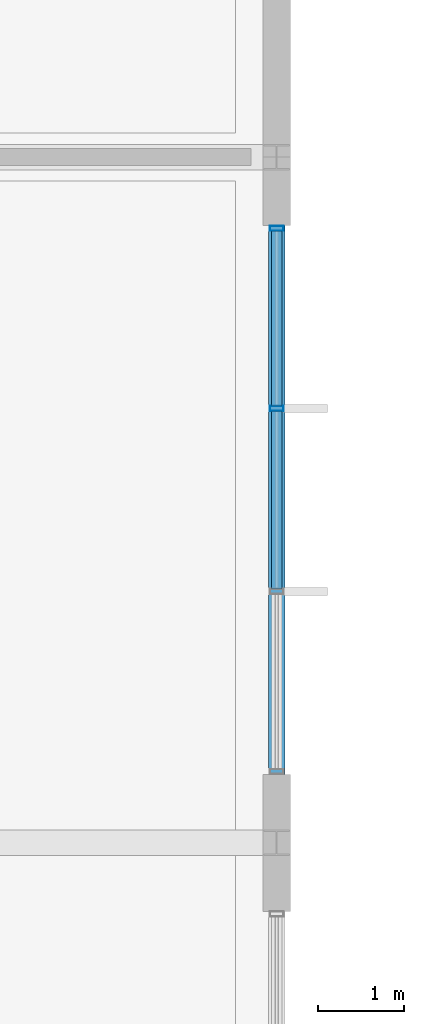
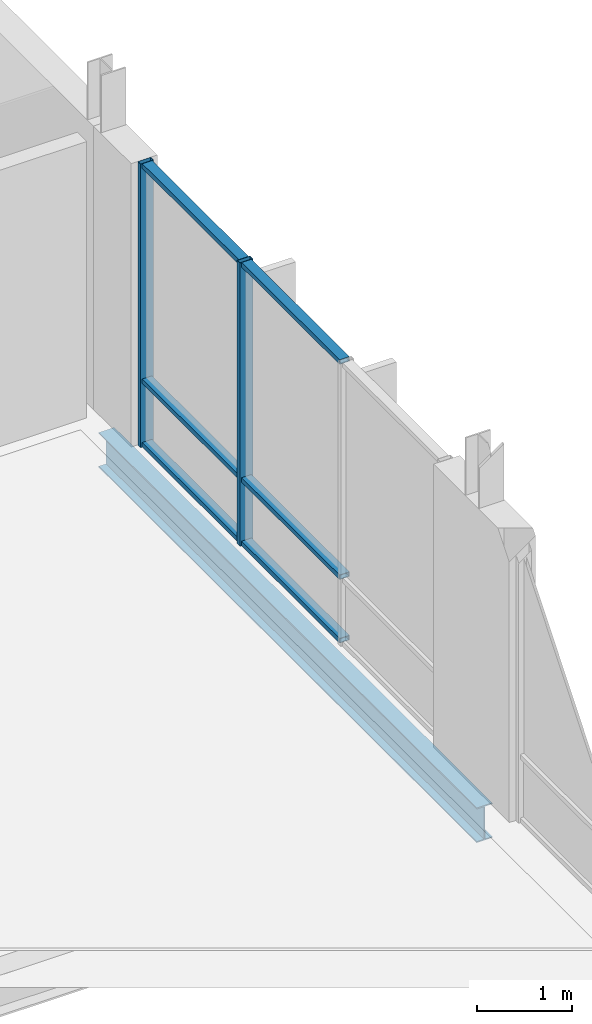
# One storey, part 158 of 233: 8 members, 1 beam, 1 element without a shape of its own.
"""IFC4 building model written with IfcOpenShell, lengths in metres."""

from ifc_helpers import new_model, si_unit, direction, frame, origin, origin_2d, place, context, subcontext, project, spatial, hollow_rectangle, i_section, extrude, material, material_profile, profile_set, type_object, element, aggregate, save


model = new_model("IFC4")

# Units and contexts
model_context = context("Model", 3, precision=1e-05, world=origin(), true_north=direction((0.0, 1.0)))
body_context = subcontext(model_context, "Body", "Model", "MODEL_VIEW")
ifc_project = project(units=[si_unit("LENGTHUNIT", "METRE"), si_unit("AREAUNIT", "SQUARE_METRE"), si_unit("VOLUMEUNIT", "CUBIC_METRE"), si_unit("PLANEANGLEUNIT", "RADIAN"), si_unit("MASSUNIT", "GRAM", prefix="KILO")], contexts=[model_context])

# Site, building, storey
site_placement = place(None, origin())
site = spatial("IfcSite", under=ifc_project, at=site_placement, CompositionType="ELEMENT")
building_placement = place(site_placement, origin())
building = spatial("IfcBuilding", under=site, at=building_placement, Name="Zavelmont Quarter", CompositionType="ELEMENT")
storey_placement = place(building_placement, origin())
storey = spatial("IfcBuildingStorey", under=building, at=storey_placement, Name="L00", CompositionType="ELEMENT", Elevation=0.0)

# Beam
ifc_material_1 = material(Name="Steel S355", Category="steel")
ifc_material_profile_1 = material_profile(ifc_material_1, i_section(OverallWidth=0.18994140625, OverallDepth=0.449951171875, WebThickness=0.009521484375, FlangeThickness=0.0146484375, at=origin_2d()), Name="IPE 450")
ifc_profile_set_1 = profile_set([ifc_material_profile_1], Name="Steel S355")
beam_type = type_object("IfcBeamType", Name="BM12", PredefinedType="BEAM", material=ifc_profile_set_1)
beam_placement = place(storey_placement, frame((168.0, 46.0, -0.544921875), z_axis=(0.0, 1.0, 0.0), x_axis=(-1.0, 0.0, 0.0)))
element("IfcBeam", 1, at=beam_placement, inside=storey, type_object=beam_type, Name="L00 beam BM12 25/H to 25/J", PredefinedType="BEAM", context=body_context, shape_type="SweptSolid", body=[
    extrude(i_section(OverallWidth=0.18994140625, OverallDepth=0.449951171875, WebThickness=0.009521484375, FlangeThickness=0.0146484375, at=origin_2d()), origin(), (0.0, 0.0, 1.0), 8.0),
])

# Curtain wall, members
ifc_material_2 = material(Name="Thermally broken aluminium and double low-E safety glazing", Category="aluminium")
curtain_wall_type = type_object("IfcCurtainWallType", Name="CW-640X366", PredefinedType="NOTDEFINED", material=ifc_material_2)
curtain_wall_placement = place(storey_placement, origin())
curtain_wall = element("IfcCurtainWall", 2, at=curtain_wall_placement, inside=storey, type_object=curtain_wall_type, Name="L00 unitised curtain wall CW-640X366", PredefinedType="NOTDEFINED")
ifc_material_3 = material(Name="Powder-coated aluminium EN AW-6063-T6", Category="aluminium")
ifc_material_profile_2 = material_profile(ifc_material_3, hollow_rectangle(XDim=0.06005859375, YDim=0.159912109375, WallThickness=0.00390625, at=origin_2d()), Name="CWM60X160")
ifc_profile_set_2 = profile_set([ifc_material_profile_2], Name="Powder-coated aluminium EN AW-6063-T6")
member_type_1 = type_object("IfcMemberType", Name="CWM01", PredefinedType="MULLION", material=ifc_profile_set_2)
member_1_placement = place(storey_placement, frame((168.0, 51.066650390625, 0.0), z_axis=(0.0, 0.0, 1.0), x_axis=(0.0, 1.0, 0.0)))
member_1 = element("IfcMember", 3, at=member_1_placement, type_object=member_type_1, Name="CW-640X366 mullion 3", PredefinedType="MULLION", context=body_context, shape_type="SweptSolid", body=[
    extrude(hollow_rectangle(XDim=0.06005859375, YDim=0.159912109375, WallThickness=0.00390625, at=origin_2d()), origin(), (0.0, 0.0, 1.0), 3.659912109375),
])
member_2_placement = place(storey_placement, frame((168.0, 53.169921875, 0.0), z_axis=(0.0, 0.0, 1.0), x_axis=(0.0, 1.0, 0.0)))
member_2 = element("IfcMember", 4, at=member_2_placement, type_object=member_type_1, Name="CW-640X366 mullion 4", PredefinedType="MULLION", context=body_context, shape_type="SweptSolid", body=[
    extrude(hollow_rectangle(XDim=0.06005859375, YDim=0.159912109375, WallThickness=0.00390625, at=origin_2d()), origin(), (0.0, 0.0, 1.0), 3.659912109375),
])
ifc_material_profile_3 = material_profile(ifc_material_3, hollow_rectangle(XDim=0.1201171875, YDim=0.06005859375, WallThickness=0.00390625, at=origin_2d()), Name="CWT60X120")
ifc_profile_set_3 = profile_set([ifc_material_profile_3], Name="Powder-coated aluminium EN AW-6063-T6")
member_type_2 = type_object("IfcMemberType", Name="CWT01", PredefinedType="NOTDEFINED", material=ifc_profile_set_3)
member_3_placement = place(storey_placement, frame((168.0, 48.96337890625, 0.030029296875), z_axis=(0.0, 1.0, 0.0), x_axis=(-1.0, 0.0, 0.0)))
member_3 = element("IfcMember", 5, at=member_3_placement, type_object=member_type_2, Name="CW-640X366 transom 2.1", ObjectType="TRANSOM", PredefinedType="USERDEFINED", context=body_context, shape_type="SweptSolid", body=[
    extrude(hollow_rectangle(XDim=0.1201171875, YDim=0.06005859375, WallThickness=0.00390625, at=origin_2d()), origin(), (0.0, 0.0, 1.0), 2.0732421875),
])
member_4_placement = place(storey_placement, frame((168.0, 48.96337890625, 0.85009765625), z_axis=(0.0, 1.0, 0.0), x_axis=(-1.0, 0.0, 0.0)))
member_4 = element("IfcMember", 6, at=member_4_placement, type_object=member_type_2, Name="CW-640X366 transom 2.2", ObjectType="TRANSOM", PredefinedType="USERDEFINED", context=body_context, shape_type="SweptSolid", body=[
    extrude(hollow_rectangle(XDim=0.1201171875, YDim=0.06005859375, WallThickness=0.00390625, at=origin_2d()), origin(), (0.0, 0.0, 1.0), 2.0732421875),
])
member_5_placement = place(storey_placement, frame((168.0, 48.96337890625, 3.6298828125), z_axis=(0.0, 1.0, 0.0), x_axis=(-1.0, 0.0, 0.0)))
member_5 = element("IfcMember", 7, at=member_5_placement, type_object=member_type_2, Name="CW-640X366 transom 2.3", ObjectType="TRANSOM", PredefinedType="USERDEFINED", context=body_context, shape_type="SweptSolid", body=[
    extrude(hollow_rectangle(XDim=0.1201171875, YDim=0.06005859375, WallThickness=0.00390625, at=origin_2d()), origin(), (0.0, 0.0, 1.0), 2.0732421875),
])
member_6_placement = place(storey_placement, frame((168.0, 51.0966796875, 0.030029296875), z_axis=(0.0, 1.0, 0.0), x_axis=(-1.0, 0.0, 0.0)))
member_6 = element("IfcMember", 8, at=member_6_placement, type_object=member_type_2, Name="CW-640X366 transom 3.1", ObjectType="TRANSOM", PredefinedType="USERDEFINED", context=body_context, shape_type="SweptSolid", body=[
    extrude(hollow_rectangle(XDim=0.1201171875, YDim=0.06005859375, WallThickness=0.00390625, at=origin_2d()), origin(), (0.0, 0.0, 1.0), 2.043212890625),
])
member_7_placement = place(storey_placement, frame((168.0, 51.0966796875, 0.85009765625), z_axis=(0.0, 1.0, 0.0), x_axis=(-1.0, 0.0, 0.0)))
member_7 = element("IfcMember", 9, at=member_7_placement, type_object=member_type_2, Name="CW-640X366 transom 3.2", ObjectType="TRANSOM", PredefinedType="USERDEFINED", context=body_context, shape_type="SweptSolid", body=[
    extrude(hollow_rectangle(XDim=0.1201171875, YDim=0.06005859375, WallThickness=0.00390625, at=origin_2d()), origin(), (0.0, 0.0, 1.0), 2.043212890625),
])
member_8_placement = place(storey_placement, frame((168.0, 51.0966796875, 3.6298828125), z_axis=(0.0, 1.0, 0.0), x_axis=(-1.0, 0.0, 0.0)))
member_8 = element("IfcMember", 10, at=member_8_placement, type_object=member_type_2, Name="CW-640X366 transom 3.3", ObjectType="TRANSOM", PredefinedType="USERDEFINED", context=body_context, shape_type="SweptSolid", body=[
    extrude(hollow_rectangle(XDim=0.1201171875, YDim=0.06005859375, WallThickness=0.00390625, at=origin_2d()), origin(), (0.0, 0.0, 1.0), 2.043212890625),
])
aggregate(curtain_wall, [member_1, member_2, member_3, member_4, member_5, member_6, member_7, member_8])

save(model, "model.ifc")
